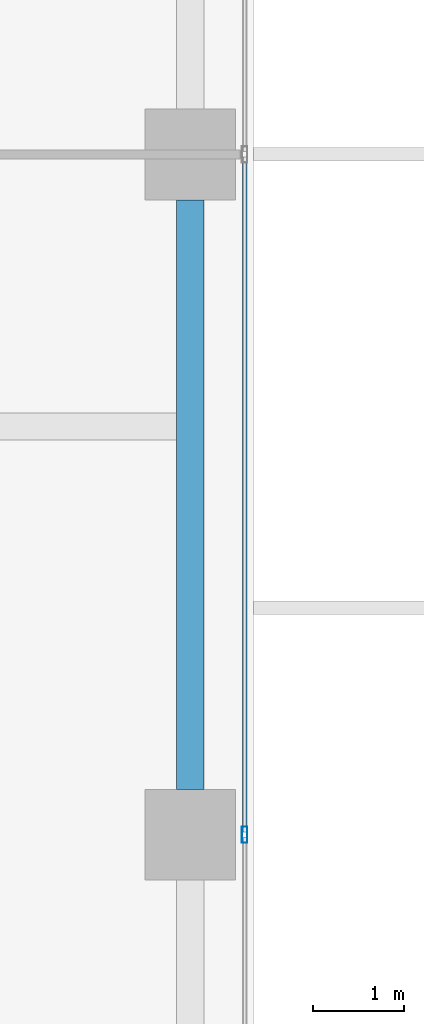
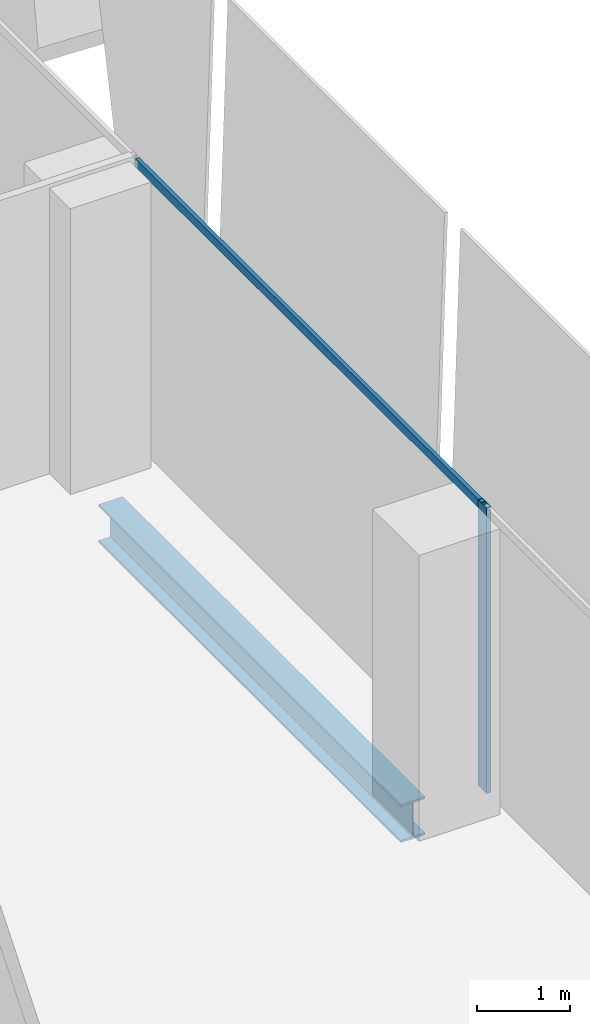
# One storey, part 16 of 38: 2 members, 1 beam, 1 element without a shape of its own.
"""IFC4 building model written with IfcOpenShell, lengths in metres."""

from ifc_helpers import new_model, si_unit, direction, frame, origin, origin_2d, place, context, subcontext, project, spatial, hollow_rectangle, i_section, extrude, source, transform, mapped, material, material_profile, profile_set, type_object, element, aggregate, save


model = new_model("IFC4")

# Units and contexts
model_context = context("Model", 3, precision=1e-05, world=origin(), true_north=direction((0.0, 1.0)))
body_context = subcontext(model_context, "Body", "Model", "MODEL_VIEW")
ifc_project = project(units=[si_unit("LENGTHUNIT", "METRE"), si_unit("AREAUNIT", "SQUARE_METRE"), si_unit("VOLUMEUNIT", "CUBIC_METRE"), si_unit("PLANEANGLEUNIT", "RADIAN"), si_unit("MASSUNIT", "GRAM", prefix="KILO")], contexts=[model_context])

# Site, building, storey
site_placement = place(None, origin())
site = spatial("IfcSite", under=ifc_project, at=site_placement, CompositionType="ELEMENT")
building_placement = place(site_placement, origin())
building = spatial("IfcBuilding", under=site, at=building_placement, Name="Khomas Fold Tower", CompositionType="ELEMENT")
storey_placement = place(building_placement, frame((0.0, 0.0, 208.699951171875)))
storey = spatial("IfcBuildingStorey", under=building, at=storey_placement, Name="L46", CompositionType="ELEMENT", Elevation=208.699951171875)

# Beam
ifc_material_1 = material(Name="Steel S355", Category="steel")
ifc_material_profile_1 = material_profile(ifc_material_1, i_section(OverallWidth=0.300048828125, OverallDepth=0.5, WebThickness=0.014404296875, FlangeThickness=0.028076171875, at=origin_2d()), Name="HE 500 B")
ifc_profile_set_1 = profile_set([ifc_material_profile_1], Name="Steel S355")
beam_type = type_object("IfcBeamType", Name="HE 500 B spandrel SB3", PredefinedType="SPANDREL", material=ifc_profile_set_1)
shared_shape_1 = source(origin(), body_context, "Body", "SweptSolid", [
    extrude(i_section(OverallWidth=0.300048828125, OverallDepth=0.5, WebThickness=0.014404296875, FlangeThickness=0.028076171875, at=origin_2d()), origin(), (0.0, 0.0, 1.0), 6.5),
])
beam_placement = place(storey_placement, frame((50.300048828125, 27.5, -0.5), z_axis=(0.0, 1.0, 0.0), x_axis=(-1.0, 0.0, 0.0)))
element("IfcBeam", 1, at=beam_placement, inside=storey, type_object=beam_type, Name="SB3", PredefinedType="SPANDREL", context=body_context, shape_type="MappedRepresentation", body=[
    mapped(shared_shape_1, transform((0.0, 0.0, 0.0))),
])

# Curtain wall, members
ifc_material_2 = material(Name="Aluminium framed double glazing", Category="aluminium")
curtain_wall_type = type_object("IfcCurtainWallType", Name="SK-Unitised clear-glass wall, office floors CW2", PredefinedType="NOTDEFINED", material=ifc_material_2)
curtain_wall_placement = place(storey_placement, origin())
curtain_wall = element("IfcCurtainWall", 2, at=curtain_wall_placement, inside=storey, type_object=curtain_wall_type, Name="CW2 run L46 03-0", PredefinedType="NOTDEFINED")
ifc_material_3 = material(Name="Aluminium", Category="aluminium")
ifc_material_profile_2 = material_profile(ifc_material_3, hollow_rectangle(XDim=0.06005859375, YDim=0.179931640625, WallThickness=0.00390625, at=origin_2d()), Name="SK-Unitised clear-glass wall, office floors mullion CW2-M")
ifc_profile_set_2 = profile_set([ifc_material_profile_2], Name="Aluminium")
member_type_1 = type_object("IfcMemberType", Name="SK-Unitised clear-glass wall, office floors mullion CW2-M", PredefinedType="MULLION", material=ifc_profile_set_2)
shared_shape_2 = source(origin(), body_context, "Body", "SweptSolid", [
    extrude(hollow_rectangle(XDim=0.06005859375, YDim=0.179931640625, WallThickness=0.00390625, at=origin_2d()), origin(), (0.0, 0.0, 1.0), 3.75),
])
member_1_placement = place(storey_placement, frame((50.89990234375, 27.0, 0.0), z_axis=(0.0, 0.0, 1.0), x_axis=(-1.0, 0.0, 0.0)))
member_1 = element("IfcMember", 3, at=member_1_placement, type_object=member_type_1, Name="CW2 mullion 5", PredefinedType="MULLION", context=body_context, shape_type="MappedRepresentation", body=[
    mapped(shared_shape_2, transform((0.0, 0.0, 0.0))),
])
ifc_material_4 = material(Name="Aluminium", Category="aluminium")
ifc_material_profile_3 = material_profile(ifc_material_4, hollow_rectangle(XDim=0.050048828125, YDim=0.110107421875, WallThickness=0.00390625, at=origin_2d()), Name="SK-Unitised clear-glass wall, office floors transom CW2-T")
ifc_profile_set_3 = profile_set([ifc_material_profile_3], Name="Aluminium")
member_type_2 = type_object("IfcMemberType", Name="SK-Unitised clear-glass wall, office floors transom CW2-T", PredefinedType="USERDEFINED", material=ifc_profile_set_3)
shared_shape_3 = source(origin(), body_context, "Body", "SweptSolid", [
    extrude(hollow_rectangle(XDim=0.050048828125, YDim=0.110107421875, WallThickness=0.00390625, at=origin_2d()), origin(), (0.0, 0.0, 1.0), 7.43994140625),
])
member_2_placement = place(storey_placement, frame((50.89990234375, 27.030029296875, 3.695068359375), z_axis=(0.0, 1.0, 0.0), x_axis=(-1.0, 0.0, 0.0)))
member_2 = element("IfcMember", 4, at=member_2_placement, type_object=member_type_2, Name="CW2 transom 5", ObjectType="TRANSOM", PredefinedType="USERDEFINED", context=body_context, shape_type="MappedRepresentation", body=[
    mapped(shared_shape_3, transform((0.0, 0.0, 0.0))),
])
aggregate(curtain_wall, [member_1, member_2])

save(model, "model.ifc")
